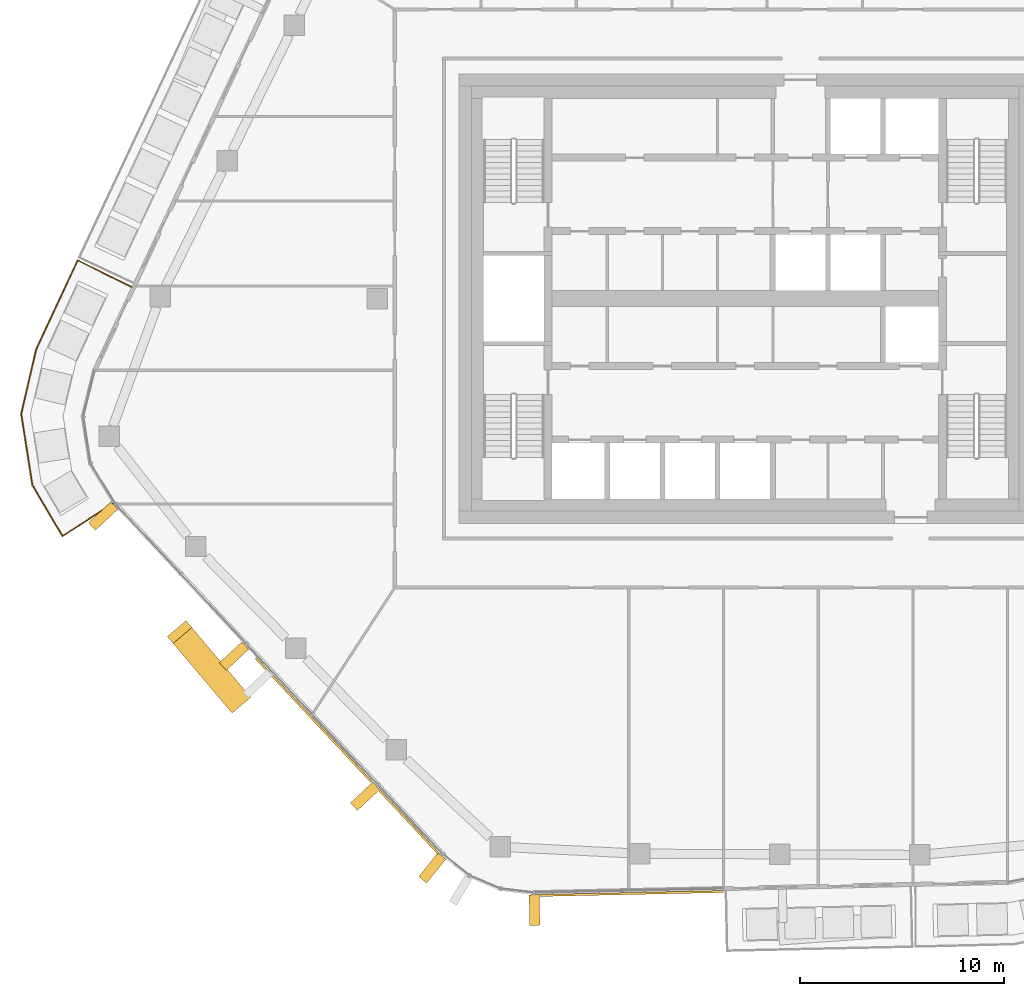
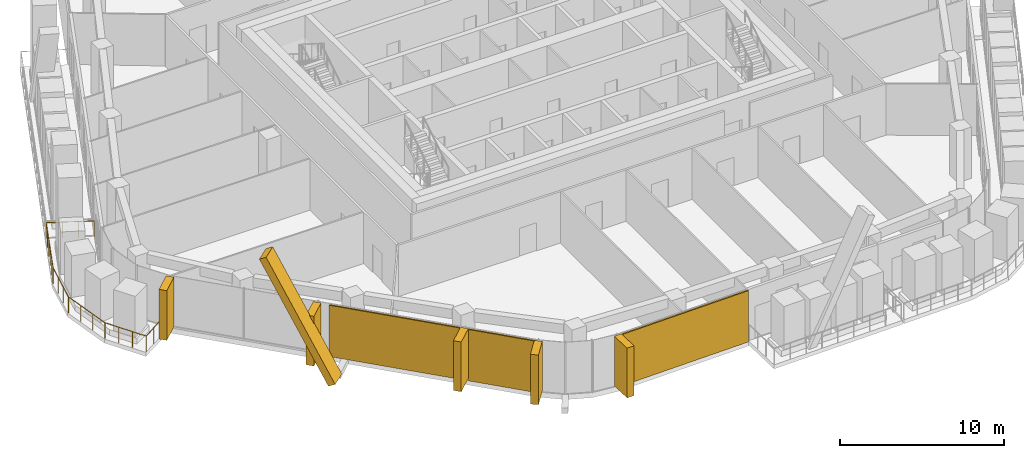
# One storey, part 18 of 23: 9 coverings, 1 railing, 3 elements without a shape of their own.
"""IFC4 building model written with IfcOpenShell, lengths in metres."""

from ifc_helpers import new_model, si_unit, direction, frame, origin, origin_2d, place, context, subcontext, project, spatial, rectangle, circle, extrude, material, layer, layer_set, material_profile, profile_set, type_object, element, aggregate, save


model = new_model("IFC4")

# Units and contexts
model_context = context("Model", 3, precision=1e-05, world=origin(), true_north=direction((0.0, 1.0)))
body_context = subcontext(model_context, "Body", "Model", "MODEL_VIEW")
ifc_project = project(units=[si_unit("LENGTHUNIT", "METRE"), si_unit("AREAUNIT", "SQUARE_METRE"), si_unit("VOLUMEUNIT", "CUBIC_METRE"), si_unit("PLANEANGLEUNIT", "RADIAN"), si_unit("MASSUNIT", "GRAM", prefix="KILO")], contexts=[model_context])

# Site, building, storey
site_placement = place(None, origin())
site = spatial("IfcSite", under=ifc_project, at=site_placement, CompositionType="ELEMENT")
building_placement = place(site_placement, origin())
building = spatial("IfcBuilding", under=site, at=building_placement, Name="Dongbaek Canopy Tower", CompositionType="ELEMENT")
storey_placement = place(building_placement, frame((0.0, 0.0, 340.39990234375)))
storey = spatial("IfcBuildingStorey", under=building, at=storey_placement, Name="L73", CompositionType="ELEMENT", Elevation=340.39990234375)

# Railing
ifc_material_1 = material(Name="Stainless steel", Category="steel")
railing_type = type_object("IfcRailingType", Name="Balcony balustrade 1200", PredefinedType="BALUSTRADE", material=ifc_material_1)
railing_placement = place(storey_placement, frame((-30.02685546875, 0.56884765625, 0.0)))
element("IfcRailing", 1, at=railing_placement, inside=storey, type_object=railing_type, Name="Balcony guard L73 7", PredefinedType="BALUSTRADE", context=body_context, shape_type="SweptSolid", body=[
    extrude(circle(Radius=0.02392578125, at=origin_2d()), frame((0.0, 0.0, 1.17578125), z_axis=(-0.896098023719, 0.443856206319, 0.0), x_axis=(-0.443856206319, -0.896098023719, 0.0)), (0.0, 0.0, 1.0), 2.9404296875),
    extrude(circle(Radius=0.02392578125, at=origin_2d()), frame((-2.635009765625, 1.30517578125, 1.17578125), z_axis=(-0.422749552382, -0.906246553627, 0.0), x_axis=(0.906246553627, -0.422749552382, 0.0)), (0.0, 0.0, 1.0), 4.818603515625),
    extrude(circle(Radius=0.02392578125, at=origin_2d()), frame((-4.672119140625, -3.061767578125, 1.17578125), z_axis=(-0.225701783137, -0.974196440708, 0.0), x_axis=(0.974196440708, -0.225701783137, 0.0)), (0.0, 0.0, 1.0), 3.238525390625),
    extrude(circle(Radius=0.02392578125, at=origin_2d()), frame((-5.403076171875, -6.216796875, 1.17578125), z_axis=(0.155536017693, -0.98783022185, 0.0), x_axis=(0.98783022185, 0.155536017693, 0.0)), (0.0, 0.0, 1.0), 3.527099609375),
    extrude(circle(Radius=0.02392578125, at=origin_2d()), frame((-4.8544921875, -9.700927734375, 1.17578125), z_axis=(0.50841134309, -0.861114339805, 0.0), x_axis=(0.861114339805, 0.50841134309, 0.0)), (0.0, 0.0, 1.0), 2.8974609375),
    extrude(circle(Radius=0.02392578125, at=origin_2d()), frame((-3.38134765625, -12.196044921875, 1.17578125), z_axis=(0.839921908377, 0.542707276373, 0.0), x_axis=(-0.542707276373, 0.839921908377, 0.0)), (0.0, 0.0, 1.0), 2.940673828125),
    extrude(circle(Radius=0.02099609375, at=origin_2d()), origin(), (0.0, 0.0, 1.0), 1.15185546875),
    extrude(circle(Radius=0.02099609375, at=origin_2d()), frame((-0.87841796875, 0.43505859375, 0.0)), (0.0, 0.0, 1.0), 1.15185546875),
    extrude(circle(Radius=0.02099609375, at=origin_2d()), frame((-1.756591796875, 0.8701171875, 0.0)), (0.0, 0.0, 1.0), 1.15185546875),
    extrude(circle(Radius=0.02099609375, at=origin_2d()), frame((-2.635009765625, 1.30517578125, 0.0)), (0.0, 0.0, 1.0), 1.15185546875),
    extrude(circle(Radius=0.02099609375, at=origin_2d()), frame((-3.04248046875, 0.431884765625, 0.0)), (0.0, 0.0, 1.0), 1.15185546875),
    extrude(circle(Radius=0.02099609375, at=origin_2d()), frame((-3.449951171875, -0.441650390625, 0.0)), (0.0, 0.0, 1.0), 1.15185546875),
    extrude(circle(Radius=0.02099609375, at=origin_2d()), frame((-3.857177734375, -1.31494140625, 0.0)), (0.0, 0.0, 1.0), 1.15185546875),
    extrude(circle(Radius=0.02099609375, at=origin_2d()), frame((-4.2646484375, -2.1884765625, 0.0)), (0.0, 0.0, 1.0), 1.15185546875),
    extrude(circle(Radius=0.02099609375, at=origin_2d()), frame((-4.672119140625, -3.061767578125, 0.0)), (0.0, 0.0, 1.0), 1.15185546875),
    extrude(circle(Radius=0.02099609375, at=origin_2d()), frame((-4.915771484375, -4.113525390625, 0.0)), (0.0, 0.0, 1.0), 1.15185546875),
    extrude(circle(Radius=0.02099609375, at=origin_2d()), frame((-5.159423828125, -5.1650390625, 0.0)), (0.0, 0.0, 1.0), 1.15185546875),
    extrude(circle(Radius=0.02099609375, at=origin_2d()), frame((-5.403076171875, -6.216796875, 0.0)), (0.0, 0.0, 1.0), 1.15185546875),
    extrude(circle(Radius=0.02099609375, at=origin_2d()), frame((-5.22021484375, -7.378173828125, 0.0)), (0.0, 0.0, 1.0), 1.15185546875),
    extrude(circle(Radius=0.02099609375, at=origin_2d()), frame((-5.037353515625, -8.53955078125, 0.0)), (0.0, 0.0, 1.0), 1.15185546875),
    extrude(circle(Radius=0.02099609375, at=origin_2d()), frame((-4.8544921875, -9.700927734375, 0.0)), (0.0, 0.0, 1.0), 1.15185546875),
    extrude(circle(Radius=0.02099609375, at=origin_2d()), frame((-4.363525390625, -10.53271484375, 0.0)), (0.0, 0.0, 1.0), 1.15185546875),
    extrude(circle(Radius=0.02099609375, at=origin_2d()), frame((-3.872314453125, -11.3642578125, 0.0)), (0.0, 0.0, 1.0), 1.15185546875),
    extrude(circle(Radius=0.02099609375, at=origin_2d()), frame((-3.38134765625, -12.196044921875, 0.0)), (0.0, 0.0, 1.0), 1.15185546875),
    extrude(circle(Radius=0.02099609375, at=origin_2d()), frame((-2.55810546875, -11.6640625, 0.0)), (0.0, 0.0, 1.0), 1.15185546875),
    extrude(circle(Radius=0.02099609375, at=origin_2d()), frame((-1.734619140625, -11.132080078125, 0.0)), (0.0, 0.0, 1.0), 1.15185546875),
    extrude(circle(Radius=0.02099609375, at=origin_2d()), frame((-0.911376953125, -10.60009765625, 0.0)), (0.0, 0.0, 1.0), 1.15185546875),
])

# Curtain wall, coverings
ifc_material_2 = material(Name="Aluminium 6063-T6 pale anodised", Category="aluminium")
ifc_layer_1 = layer(ifc_material_2, 0.199951171875)
ifc_layer_set_1 = layer_set([ifc_layer_1], Name="CW-1 unitised tower curtain wall")
curtain_wall_type = type_object("IfcCurtainWallType", Name="CW-1 unitised tower curtain wall", PredefinedType="NOTDEFINED", material=ifc_layer_set_1)
curtain_wall_1_placement = place(storey_placement, origin())
curtain_wall_1 = element("IfcCurtainWall", 2, at=curtain_wall_1_placement, inside=storey, type_object=curtain_wall_type, Name="CW-1 curtain wall F3.1", PredefinedType="NOTDEFINED")
ifc_material_3 = material(Name="Aluminium 6063-T6 pale metal fin", Category="aluminium")
ifc_material_profile_1 = material_profile(ifc_material_3, rectangle(XDim=1.199951171875, YDim=0.5, at=origin_2d()), Name="Crease fin CF1 500 x 1200 pale metal")
ifc_profile_set_1 = profile_set([ifc_material_profile_1], Name="Aluminium 6063-T6 pale metal fin")
covering_type_1 = type_object("IfcCoveringType", Name="Crease fin CF1 500 x 1200 pale metal", PredefinedType="CLADDING", material=ifc_profile_set_1)
covering_1_placement = place(storey_placement, frame((-24.793701171875, -19.73388671875, -0.18994140625), z_axis=(-0.303565795091, 0.358773569201, 0.882683031497), x_axis=(-0.763398708468, -0.645927559335, 0.0)))
covering_1 = element("IfcCovering", 3, at=covering_1_placement, type_object=covering_type_1, Name="Crease fin L73 L75 F3", PredefinedType="CLADDING", context=body_context, shape_type="SweptSolid", body=[
    extrude(rectangle(XDim=1.199951171875, YDim=0.5, at=origin_2d()), origin(), (0.0, 0.0, 1.0), 9.5166015625),
])
ifc_material_4 = material(Name="Perforated aluminium 6063-T6 pale metal screen", Category="aluminium")
ifc_layer_2 = layer(ifc_material_4, 0.10009765625)
ifc_layer_set_2 = layer_set([ifc_layer_2], Name="Facet screen FS1 100 pale metal")
covering_type_2 = type_object("IfcCoveringType", Name="Facet screen FS1 100 pale metal", PredefinedType="CLADDING", material=ifc_layer_set_2)
covering_2_placement = place(storey_placement, frame((-21.119873046875, -20.631103515625, 0.0), z_axis=(0.0, 0.0, 1.0), x_axis=(0.682978063004, -0.730438885503, 0.0)))
covering_2 = element("IfcCovering", 4, at=covering_2_placement, type_object=covering_type_2, Name="Facet screen L73 F3", PredefinedType="CLADDING", context=body_context, shape_type="SweptSolid", body=[
    extrude(rectangle(XDim=8.301513671875, YDim=0.10009765625, at=origin_2d()), origin(), (0.0, 0.0, 1.0), 3.820068359375),
])
covering_3_placement = place(storey_placement, frame((-16.4453125, -25.63037109375, 0.0), z_axis=(0.0, 0.0, 1.0), x_axis=(0.682978063004, -0.730438885503, 0.0)))
covering_3 = element("IfcCovering", 5, at=covering_3_placement, type_object=covering_type_2, Name="Facet screen L73 F3", PredefinedType="CLADDING", context=body_context, shape_type="SweptSolid", body=[
    extrude(rectangle(XDim=4.22705078125, YDim=0.10009765625, at=origin_2d()), origin(), (0.0, 0.0, 1.0), 3.820068359375),
])

# Curtain wall, covering
curtain_wall_2_placement = place(storey_placement, origin())
curtain_wall_2 = element("IfcCurtainWall", 6, at=curtain_wall_2_placement, inside=storey, type_object=curtain_wall_type, Name="CW-1 curtain wall F4.1", PredefinedType="NOTDEFINED")
covering_4_placement = place(storey_placement, frame((-5.546875, -29.115966796875, 0.0), z_axis=(0.0, 0.0, 1.0), x_axis=(0.999765063267, 0.021675291709, 0.0)))
covering_4 = element("IfcCovering", 7, at=covering_4_placement, type_object=covering_type_2, Name="Facet screen L73 F4", PredefinedType="CLADDING", context=body_context, shape_type="SweptSolid", body=[
    extrude(rectangle(XDim=8.97998046875, YDim=0.10009765625, at=origin_2d()), origin(), (0.0, 0.0, 1.0), 3.820068359375),
])

# Covering
ifc_material_5 = material(Name="Aluminium 6063-T6 pale metal fin", Category="aluminium")
ifc_material_profile_2 = material_profile(ifc_material_5, rectangle(XDim=1.5, YDim=0.5, at=origin_2d()), Name="Fin FN1 500 x 1500 pale metal")
ifc_profile_set_2 = profile_set([ifc_material_profile_2], Name="Aluminium 6063-T6 pale metal fin")
covering_type_3 = type_object("IfcCoveringType", Name="Fin FN1 500 x 1500 pale metal", PredefinedType="CLADDING", material=ifc_profile_set_2)
covering_5_placement = place(storey_placement, frame((-31.421630859375, -10.644287109375, 0.1201171875), z_axis=(0.0, 0.0, 1.0), x_axis=(-0.730438386022, -0.682978597195, 0.0)))
covering_5 = element("IfcCovering", 8, at=covering_5_placement, type_object=covering_type_3, Name="Fin F3.1.1", PredefinedType="CLADDING", context=body_context, shape_type="SweptSolid", body=[
    extrude(rectangle(XDim=1.5, YDim=0.5, at=origin_2d()), origin(), (0.0, 0.0, 1.0), 3.699951171875),
])

covering_6_placement = place(storey_placement, frame((-25.0146484375, -17.496337890625, 0.1201171875), z_axis=(0.0, 0.0, 1.0), x_axis=(-0.730438386022, -0.682978597195, 0.0)))
covering_6 = element("IfcCovering", 9, at=covering_6_placement, type_object=covering_type_3, Name="Fin F3.1.3", PredefinedType="CLADDING", context=body_context, shape_type="SweptSolid", body=[
    extrude(rectangle(XDim=1.5, YDim=0.5, at=origin_2d()), origin(), (0.0, 0.0, 1.0), 3.699951171875),
])

covering_7_placement = place(storey_placement, frame((-18.60107421875, -24.355712890625, 0.1201171875), z_axis=(0.0, 0.0, 1.0), x_axis=(-0.730438386022, -0.682978597195, 0.0)))
covering_7 = element("IfcCovering", 10, at=covering_7_placement, type_object=covering_type_3, Name="Fin F3.1.5", PredefinedType="CLADDING", context=body_context, shape_type="SweptSolid", body=[
    extrude(rectangle(XDim=1.5, YDim=0.5, at=origin_2d()), origin(), (0.0, 0.0, 1.0), 3.699951171875),
])

aggregate(curtain_wall_1, [covering_5, covering_6, covering_7, covering_1, covering_2, covering_3])

# Curtain wall, covering
curtain_wall_3_placement = place(storey_placement, origin())
curtain_wall_3 = element("IfcCurtainWall", 11, at=curtain_wall_3_placement, inside=storey, type_object=curtain_wall_type, Name="CW-1 curtain wall K4.1", PredefinedType="NOTDEFINED")
covering_8_placement = place(storey_placement, frame((-15.31201171875, -27.861083984375, 0.1201171875), z_axis=(0.0, 0.0, 1.0), x_axis=(-0.62790365063, -0.778291080204, 0.0)))
covering_8 = element("IfcCovering", 12, at=covering_8_placement, type_object=covering_type_3, Name="Fin K4.1.1", PredefinedType="CLADDING", context=body_context, shape_type="SweptSolid", body=[
    extrude(rectangle(XDim=1.5, YDim=0.5, at=origin_2d()), origin(), (0.0, 0.0, 1.0), 3.699951171875),
])
aggregate(curtain_wall_3, [covering_8])

# Covering
covering_9_placement = place(storey_placement, frame((-10.310546875, -29.92333984375, 0.1201171875), z_axis=(0.0, 0.0, 1.0), x_axis=(0.021675843976, -0.999765051294, 0.0)))
covering_9 = element("IfcCovering", 13, at=covering_9_placement, type_object=covering_type_3, Name="Fin F4.1.1", PredefinedType="CLADDING", context=body_context, shape_type="SweptSolid", body=[
    extrude(rectangle(XDim=1.5, YDim=0.5, at=origin_2d()), origin(), (0.0, 0.0, 1.0), 3.699951171875),
])

aggregate(curtain_wall_2, [covering_9, covering_4])

save(model, "model.ifc")
